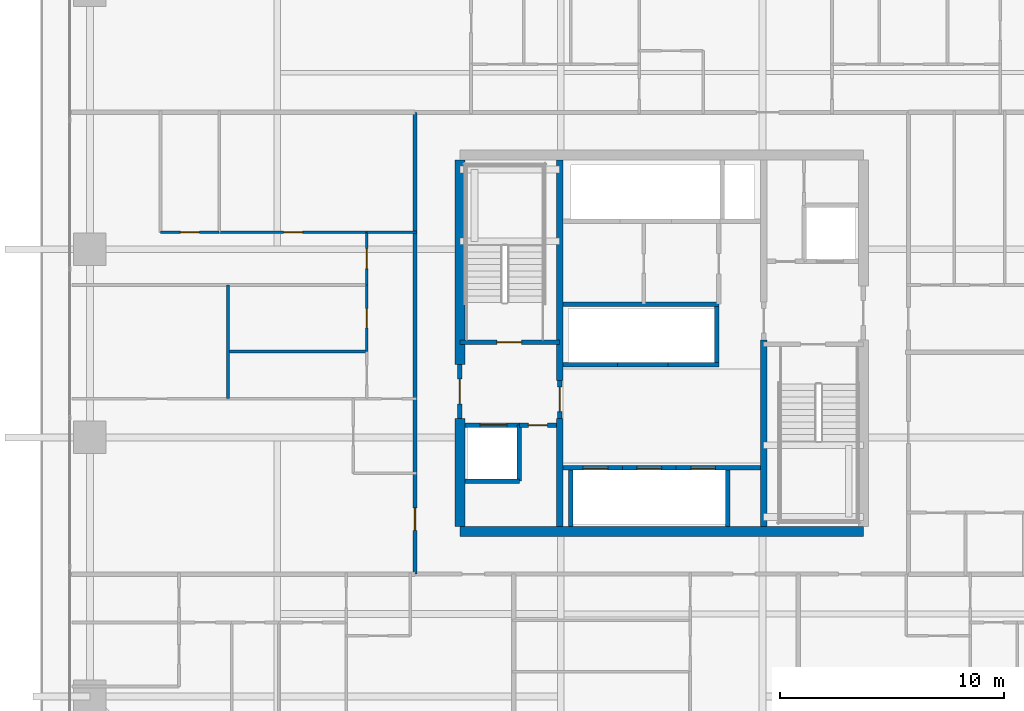
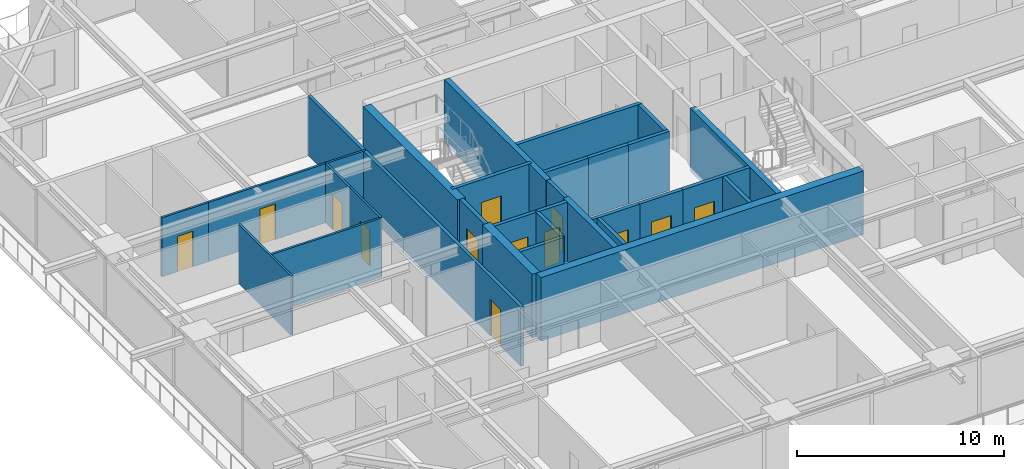
# One storey, part 27 of 38: 31 walls, 13 doors, 13 openings.
"""IFC4 building model written with IfcOpenShell, lengths in metres."""

from ifc_helpers import new_model, si_unit, direction, frame, frame_2d, origin, place, context, subcontext, project, spatial, rectangle, extrude, source, transform, mapped, material, layer, layer_set, type_object, element, fill, save


model = new_model("IFC4")

# Units and contexts
model_context = context("Model", 3, precision=1e-05, world=origin(), true_north=direction((0.0, 1.0)))
body_context = subcontext(model_context, "Body", "Model", "MODEL_VIEW")
ifc_project = project(units=[si_unit("LENGTHUNIT", "METRE"), si_unit("AREAUNIT", "SQUARE_METRE"), si_unit("VOLUMEUNIT", "CUBIC_METRE"), si_unit("PLANEANGLEUNIT", "RADIAN"), si_unit("MASSUNIT", "GRAM", prefix="KILO")], contexts=[model_context])

# Site, building, storey
site_placement = place(None, origin())
site = spatial("IfcSite", under=ifc_project, at=site_placement, CompositionType="ELEMENT")
building_placement = place(site_placement, origin())
building = spatial("IfcBuilding", under=site, at=building_placement, Name="Serunith Strait Residences", CompositionType="ELEMENT")
storey_placement = place(building_placement, frame((0.0, 0.0, 52.949951171875)))
storey = spatial("IfcBuildingStorey", under=building, at=storey_placement, Name="L12", CompositionType="ELEMENT", Elevation=52.949951171875)

# Wall, opening, door
ifc_material_1 = material(Name="Fire-rated acoustic gypsum partition")
ifc_layer_1 = layer(ifc_material_1, 0.179931640625, Name="Fire-rated acoustic gypsum partition")
ifc_layer_set_1 = layer_set([ifc_layer_1], Name="Fire-rated acoustic gypsum partition")
wall_type_1 = type_object("IfcWallType", Name="IW-CORR-180", PredefinedType="PARTITIONING", material=ifc_layer_set_1)
wall_1_placement = place(storey_placement, frame((21.39990234375, 14.89990234375, 0.0), z_axis=(0.0, 0.0, 1.0), x_axis=(0.0, 1.0, 0.0)))
wall_1 = element("IfcWall", 1, at=wall_1_placement, inside=storey, type_object=wall_type_1, Name="L12 Partition Wall 024", PredefinedType="PARTITIONING", context=body_context, shape_type="SweptSolid", body=[
    extrude(rectangle(XDim=20.60009765625, YDim=0.179931640625, at=frame_2d((10.300048828125, 0.0))), origin(), (0.0, 0.0, 1.0), 3.489990234375),
])
opening_1_placement = place(wall_1_placement, frame((1.9599609375, 0.0, 0.0)))
opening_1 = element("IfcOpeningElement", 2, at=opening_1_placement, cuts=wall_1, Name="Opening D-APT1000", PredefinedType="OPENING", context=body_context, shape_type="SweptSolid", body=[
    extrude(rectangle(XDim=1.0, YDim=2.14990234375, at=frame_2d((0.5, 1.074951171875))), frame((0.0, 0.10009765625, 0.0), z_axis=(0.0, -1.0, 0.0), x_axis=(1.0, 0.0, 0.0)), (0.0, 0.0, 1.0), 0.199951171875),
])
ifc_material_2 = material(Name="Solid timber engineered fire door", Category="wood")
door_type_1 = type_object("IfcDoorType", Name="ID-APT-1000", OperationType="NOTDEFINED", PredefinedType="DOOR", material=ifc_material_2)
shared_shape_1 = source(origin(), body_context, "Body", "SweptSolid", [
    extrude(rectangle(XDim=1.0, YDim=2.14990234375, at=frame_2d((0.5, 1.074951171875))), frame((0.0, 0.02490234375, 0.0), z_axis=(0.0, -1.0, 0.0), x_axis=(1.0, 0.0, 0.0)), (0.0, 0.0, 1.0), 0.050048828125),
])
door_1_placement = place(opening_1_placement, origin())
door_1 = element("IfcDoor", 3, at=door_1_placement, inside=storey, type_object=door_type_1, Name="L12 Unit 05 Entrance Door", OperationType="SINGLE_SWING_LEFT", OverallHeight=2.14990234375, OverallWidth=1.0, PredefinedType="DOOR", context=body_context, shape_type="MappedRepresentation", body=[
    mapped(shared_shape_1, transform((0.0, 0.0, 0.0), scale=1.0)),
])
fill(opening_1, door_1)

# Walls
ifc_material_3 = material(Name="Lightweight steel-stud gypsum partition", Category="steel")
ifc_layer_2 = layer(ifc_material_3, 0.1201171875, Name="Lightweight steel-stud gypsum partition")
ifc_layer_set_2 = layer_set([ifc_layer_2], Name="Lightweight steel-stud gypsum partition")
wall_type_2 = type_object("IfcWallType", Name="IW-PART-120", PredefinedType="PARTITIONING", material=ifc_layer_set_2)
wall_2_placement = place(storey_placement, frame((13.05908203125, 22.72998046875, 0.0), z_axis=(0.0, 0.0, 1.0), x_axis=(0.0, 1.0, 0.0)))
element("IfcWall", 4, at=wall_2_placement, inside=storey, type_object=wall_type_2, Name="L12 Partition Wall 100", PredefinedType="PARTITIONING", context=body_context, shape_type="SweptSolid", body=[
    extrude(rectangle(XDim=5.070068359375, YDim=0.1201171875, at=frame_2d((2.53515625, 0.0))), origin(), (0.0, 0.0, 1.0), 3.489990234375),
])
wall_3_placement = place(storey_placement, frame((13.05908203125, 24.830078125, 0.0), z_axis=(0.0, 0.0, 1.0), x_axis=(1.0, 0.0, 0.0)))
element("IfcWall", 5, at=wall_3_placement, inside=storey, type_object=wall_type_2, Name="L12 Partition Wall 102", PredefinedType="PARTITIONING", context=body_context, shape_type="SweptSolid", body=[
    extrude(rectangle(XDim=6.19091796875, YDim=0.1201171875, at=frame_2d((3.095458984375, 0.0))), origin(), (0.0, 0.0, 1.0), 3.489990234375),
])

# Wall, opening, door
wall_4_placement = place(storey_placement, frame((19.25, 24.83203125, 0.0), z_axis=(0.0, 0.0, 1.0), x_axis=(0.0, 1.0, 0.0)))
wall_4 = element("IfcWall", 6, at=wall_4_placement, inside=storey, type_object=wall_type_2, Name="L12 Partition Wall 104", PredefinedType="PARTITIONING", context=body_context, shape_type="SweptSolid", body=[
    extrude(rectangle(XDim=2.968017578125, YDim=0.1201171875, at=frame_2d((1.48388671875, 0.0))), origin(), (0.0, 0.0, 1.0), 3.489990234375),
])
opening_2_placement = place(wall_4_placement, frame((1.05908203125, 0.0, 0.0)))
opening_2 = element("IfcOpeningElement", 7, at=opening_2_placement, cuts=wall_4, Name="Opening D-RM850", PredefinedType="OPENING", context=body_context, shape_type="SweptSolid", body=[
    extrude(rectangle(XDim=0.85009765625, YDim=2.10009765625, at=frame_2d((0.425048828125, 1.050048828125))), frame((0.0, 0.070068359375, 0.0), z_axis=(0.0, -1.0, 0.0), x_axis=(1.0, 0.0, 0.0)), (0.0, 0.0, 1.0), 0.14013671875),
])
ifc_material_4 = material(Name="Engineered timber flush study and kitchen door", Category="wood")
door_type_2 = type_object("IfcDoorType", Name="ID-ROOM-850", OperationType="NOTDEFINED", PredefinedType="DOOR", material=ifc_material_4)
shared_shape_2 = source(origin(), body_context, "Body", "SweptSolid", [
    extrude(rectangle(XDim=0.85009765625, YDim=2.10009765625, at=frame_2d((0.425048828125, 1.050048828125))), frame((0.0, 0.02490234375, 0.0), z_axis=(0.0, -1.0, 0.0), x_axis=(1.0, 0.0, 0.0)), (0.0, 0.0, 1.0), 0.050048828125),
])
door_2_placement = place(opening_2_placement, origin())
door_2 = element("IfcDoor", 8, at=door_2_placement, inside=storey, type_object=door_type_2, Name="L12 Formal Dining Room 1205 Door", OperationType="SINGLE_SWING_LEFT", OverallHeight=2.10009765625, OverallWidth=0.85009765625, PredefinedType="DOOR", context=body_context, shape_type="MappedRepresentation", body=[
    mapped(shared_shape_2, transform((0.0, 0.0, 0.0), scale=1.0)),
])
fill(opening_2, door_2)

wall_5_placement = place(storey_placement, frame((19.25, 27.802001953125, 0.0), z_axis=(0.0, 0.0, 1.0), x_axis=(0.0, 1.0, 0.0)))
wall_5 = element("IfcWall", 9, at=wall_5_placement, inside=storey, type_object=wall_type_2, Name="L12 Partition Wall 105", PredefinedType="PARTITIONING", context=body_context, shape_type="SweptSolid", body=[
    extrude(rectangle(XDim=2.347900390625, YDim=0.1201171875, at=frame_2d((1.173828125, 0.0))), origin(), (0.0, 0.0, 1.0), 3.489990234375),
])
opening_3_placement = place(wall_5_placement, frame((0.72412109375, 0.0, 0.0)))
opening_3 = element("IfcOpeningElement", 10, at=opening_3_placement, cuts=wall_5, Name="Opening D-RM900", PredefinedType="OPENING", context=body_context, shape_type="SweptSolid", body=[
    extrude(rectangle(XDim=0.89990234375, YDim=2.10009765625, at=frame_2d((0.449951171875, 1.050048828125))), frame((0.0, 0.070068359375, 0.0), z_axis=(0.0, -1.0, 0.0), x_axis=(1.0, 0.0, 0.0)), (0.0, 0.0, 1.0), 0.14013671875),
])
ifc_material_5 = material(Name="Engineered timber flush bedroom door", Category="wood")
door_type_3 = type_object("IfcDoorType", Name="ID-ROOM-900", OperationType="NOTDEFINED", PredefinedType="DOOR", material=ifc_material_5)
shared_shape_3 = source(origin(), body_context, "Body", "SweptSolid", [
    extrude(rectangle(XDim=0.89990234375, YDim=2.10009765625, at=frame_2d((0.449951171875, 1.050048828125))), frame((0.0, 0.02490234375, 0.0), z_axis=(0.0, -1.0, 0.0), x_axis=(1.0, 0.0, 0.0)), (0.0, 0.0, 1.0), 0.050048828125),
])
door_3_placement = place(opening_3_placement, origin())
door_3 = element("IfcDoor", 11, at=door_3_placement, inside=storey, type_object=door_type_3, Name="L12 Master Bedroom E 1205 Door", OperationType="SINGLE_SWING_RIGHT", OverallHeight=2.10009765625, OverallWidth=0.89990234375, PredefinedType="DOOR", context=body_context, shape_type="MappedRepresentation", body=[
    mapped(shared_shape_3, transform((0.0, 0.0, 0.0), scale=1.0)),
])
fill(opening_3, door_3)

wall_6_placement = place(storey_placement, frame((10.050048828125, 30.14990234375, 0.0), z_axis=(0.0, 0.0, 1.0), x_axis=(1.0, 0.0, 0.0)))
wall_6 = element("IfcWall", 12, at=wall_6_placement, inside=storey, type_object=wall_type_2, Name="L12 Partition Wall 108", PredefinedType="PARTITIONING", context=body_context, shape_type="SweptSolid", body=[
    extrude(rectangle(XDim=2.616943359375, YDim=0.1201171875, at=frame_2d((1.30859375, 0.0))), origin(), (0.0, 0.0, 1.0), 3.489990234375),
])
opening_4_placement = place(wall_6_placement, frame((0.883056640625, 0.0, 0.0)))
opening_4 = element("IfcOpeningElement", 13, at=opening_4_placement, cuts=wall_6, Name="Opening D-BTH850", PredefinedType="OPENING", context=body_context, shape_type="SweptSolid", body=[
    extrude(rectangle(XDim=0.85009765625, YDim=2.10009765625, at=frame_2d((0.425048828125, 1.050048828125))), frame((0.0, 0.070068359375, 0.0), z_axis=(0.0, -1.0, 0.0), x_axis=(1.0, 0.0, 0.0)), (0.0, 0.0, 1.0), 0.14013671875),
])
ifc_material_6 = material(Name="Moisture-resistant timber bathroom door", Category="wood")
door_type_4 = type_object("IfcDoorType", Name="ID-BATH-850", OperationType="NOTDEFINED", PredefinedType="DOOR", material=ifc_material_6)
door_4_placement = place(opening_4_placement, origin())
door_4 = element("IfcDoor", 14, at=door_4_placement, inside=storey, type_object=door_type_4, Name="L12 En-suite Bathroom E 1205 Door", OperationType="SINGLE_SWING_LEFT", OverallHeight=2.10009765625, OverallWidth=0.85009765625, PredefinedType="DOOR", context=body_context, shape_type="MappedRepresentation", body=[
    mapped(shared_shape_2, transform((0.0, 0.0, 0.0), scale=1.0)),
])
fill(opening_4, door_4)

wall_7_placement = place(storey_placement, frame((12.6689453125, 30.14990234375, 0.0), z_axis=(0.0, 0.0, 1.0), x_axis=(1.0, 0.0, 0.0)))
wall_7 = element("IfcWall", 15, at=wall_7_placement, inside=storey, type_object=wall_type_2, Name="L12 Partition Wall 109", PredefinedType="PARTITIONING", context=body_context, shape_type="SweptSolid", body=[
    extrude(rectangle(XDim=6.5810546875, YDim=0.1201171875, at=frame_2d((3.29052734375, 0.0))), origin(), (0.0, 0.0, 1.0), 3.489990234375),
])
opening_5_placement = place(wall_7_placement, frame((2.864990234375, 0.0, 0.0)))
opening_5 = element("IfcOpeningElement", 16, at=opening_5_placement, cuts=wall_7, Name="Opening D-RM850", PredefinedType="OPENING", context=body_context, shape_type="SweptSolid", body=[
    extrude(rectangle(XDim=0.85009765625, YDim=2.10009765625, at=frame_2d((0.425048828125, 1.050048828125))), frame((0.0, 0.070068359375, 0.0), z_axis=(0.0, -1.0, 0.0), x_axis=(1.0, 0.0, 0.0)), (0.0, 0.0, 1.0), 0.14013671875),
])
door_5_placement = place(opening_5_placement, origin())
door_5 = element("IfcDoor", 17, at=door_5_placement, inside=storey, type_object=door_type_2, Name="L12 Wardrobe E 1205 Door", OperationType="SINGLE_SWING_RIGHT", OverallHeight=2.10009765625, OverallWidth=0.85009765625, PredefinedType="DOOR", context=body_context, shape_type="MappedRepresentation", body=[
    mapped(shared_shape_2, transform((0.0, 0.0, 0.0), scale=1.0)),
])
fill(opening_5, door_5)

# Wall
wall_8_placement = place(storey_placement, frame((19.251953125, 30.14990234375, 0.0), z_axis=(0.0, 0.0, 1.0), x_axis=(1.0, 0.0, 0.0)))
element("IfcWall", 18, at=wall_8_placement, inside=storey, type_object=wall_type_2, Name="L12 Partition Wall 110", PredefinedType="PARTITIONING", context=body_context, shape_type="SweptSolid", body=[
    extrude(rectangle(XDim=2.2080078125, YDim=0.1201171875, at=frame_2d((1.10400390625, 0.0))), origin(), (0.0, 0.0, 1.0), 3.489990234375),
])

# Wall, opening, door
ifc_material_7 = material(Name="Autoclaved aerated concrete blockwork", Category="masonry")
ifc_layer_3 = layer(ifc_material_7, 0.199951171875, Name="Autoclaved aerated concrete blockwork")
ifc_layer_set_3 = layer_set([ifc_layer_3], Name="Autoclaved aerated concrete blockwork")
wall_type_3 = type_object("IfcWallType", Name="IW-SHAFT-200", PredefinedType="STANDARD", material=ifc_layer_set_3)
wall_9_placement = place(storey_placement, frame((23.39990234375, 25.25, 0.0), z_axis=(0.0, 0.0, 1.0), x_axis=(1.0, 0.0, 0.0)))
wall_9 = element("IfcWall", 19, at=wall_9_placement, inside=storey, type_object=wall_type_3, Name="L12 ST-1 South Shaft Wall", PredefinedType="STANDARD", context=body_context, shape_type="SweptSolid", body=[
    extrude(rectangle(XDim=4.4501953125, YDim=0.199951171875, at=frame_2d((2.22509765625, 0.0))), origin(), (0.0, 0.0, 1.0), 3.489990234375),
])
opening_6_placement = place(wall_9_placement, frame((1.64990234375, 0.0, 0.0)))
opening_6 = element("IfcOpeningElement", 20, at=opening_6_placement, cuts=wall_9, Name="Opening FD-1100", PredefinedType="OPENING", context=body_context, shape_type="SweptSolid", body=[
    extrude(rectangle(XDim=1.10009765625, YDim=2.14990234375, at=frame_2d((0.550048828125, 1.074951171875))), frame((0.0, 0.10986328125, 0.0), z_axis=(0.0, -1.0, 0.0), x_axis=(1.0, 0.0, 0.0)), (0.0, 0.0, 1.0), 0.219970703125),
])
ifc_material_8 = material(Name="Galvanised steel fire door leaf", Category="steel")
door_type_5 = type_object("IfcDoorType", Name="FD-STAIR-1100", OperationType="NOTDEFINED", PredefinedType="DOOR", material=ifc_material_8)
shared_shape_4 = source(origin(), body_context, "Body", "SweptSolid", [
    extrude(rectangle(XDim=1.10009765625, YDim=2.14990234375, at=frame_2d((0.550048828125, 1.074951171875))), frame((0.0, 0.02490234375, 0.0), z_axis=(0.0, -1.0, 0.0), x_axis=(1.0, 0.0, 0.0)), (0.0, 0.0, 1.0), 0.050048828125),
])
door_6_placement = place(opening_6_placement, origin())
door_6 = element("IfcDoor", 21, at=door_6_placement, inside=storey, type_object=door_type_5, Name="L12 ST-1 Escape Stair Door", OperationType="SINGLE_SWING_RIGHT", OverallHeight=2.14990234375, OverallWidth=1.10009765625, PredefinedType="DOOR", context=body_context, shape_type="MappedRepresentation", body=[
    mapped(shared_shape_4, transform((0.0, 0.0, 0.0), scale=1.0)),
])
fill(opening_6, door_6)

wall_10_placement = place(storey_placement, frame((23.625, 21.550048828125, 0.0), z_axis=(0.0, 0.0, 1.0), x_axis=(1.0, 0.0, 0.0)))
wall_10 = element("IfcWall", 22, at=wall_10_placement, inside=storey, type_object=wall_type_3, Name="L12 FL-1 North Shaft Wall", PredefinedType="STANDARD", context=body_context, shape_type="SweptSolid", body=[
    extrude(rectangle(XDim=2.425048828125, YDim=0.199951171875, at=frame_2d((1.21240234375, 0.0))), origin(), (0.0, 0.0, 1.0), 3.489990234375),
])
opening_7_placement = place(wall_10_placement, frame((0.675048828125, 0.0, 0.0)))
opening_7 = element("IfcOpeningElement", 23, at=opening_7_placement, cuts=wall_10, Name="Opening LD-FF1200", PredefinedType="OPENING", context=body_context, shape_type="SweptSolid", body=[
    extrude(rectangle(XDim=1.199951171875, YDim=2.199951171875, at=frame_2d((0.60009765625, 1.10009765625))), frame((0.0, 0.10986328125, 0.0), z_axis=(0.0, -1.0, 0.0), x_axis=(1.0, 0.0, 0.0)), (0.0, 0.0, 1.0), 0.219970703125),
])
ifc_material_9 = material(Name="Brushed stainless steel landing door", Category="steel")
door_type_6 = type_object("IfcDoorType", Name="LD-FF-1200", OperationType="DOUBLE_DOOR_SLIDING", PredefinedType="DOOR", material=ifc_material_9)
shared_shape_5 = source(origin(), body_context, "Body", "SweptSolid", [
    extrude(rectangle(XDim=1.199951171875, YDim=2.199951171875, at=frame_2d((0.60009765625, 1.10009765625))), frame((0.0, 0.02490234375, 0.0), z_axis=(0.0, -1.0, 0.0), x_axis=(1.0, 0.0, 0.0)), (0.0, 0.0, 1.0), 0.050048828125),
])
door_7_placement = place(opening_7_placement, origin())
door_7 = element("IfcDoor", 24, at=door_7_placement, inside=storey, type_object=door_type_6, Name="L12 FL-1 Landing Door", OperationType="DOUBLE_DOOR_SLIDING", OverallHeight=2.199951171875, OverallWidth=1.199951171875, PredefinedType="DOOR", context=body_context, shape_type="MappedRepresentation", body=[
    mapped(shared_shape_5, transform((0.0, 0.0, 0.0), scale=1.0)),
])
fill(opening_7, door_7)

wall_11_placement = place(storey_placement, frame((28.0, 19.64990234375, 0.0), z_axis=(0.0, 0.0, 1.0), x_axis=(1.0, 0.0, 0.0)))
wall_11 = element("IfcWall", 25, at=wall_11_placement, inside=storey, type_object=wall_type_3, Name="L12 PL-1 North Shaft Wall", PredefinedType="STANDARD", context=body_context, shape_type="SweptSolid", body=[
    extrude(rectangle(XDim=2.64990234375, YDim=0.199951171875, at=frame_2d((1.324951171875, 0.0))), origin(), (0.0, 0.0, 1.0), 3.489990234375),
])
opening_8_placement = place(wall_11_placement, frame((0.89990234375, 0.0, 0.0)))
opening_8 = element("IfcOpeningElement", 26, at=opening_8_placement, cuts=wall_11, Name="Opening LD-1100", PredefinedType="OPENING", context=body_context, shape_type="SweptSolid", body=[
    extrude(rectangle(XDim=1.10009765625, YDim=2.199951171875, at=frame_2d((0.550048828125, 1.10009765625))), frame((0.0, 0.10986328125, 0.0), z_axis=(0.0, -1.0, 0.0), x_axis=(1.0, 0.0, 0.0)), (0.0, 0.0, 1.0), 0.219970703125),
])
ifc_material_10 = material(Name="Pale-champagne stainless landing door")
door_type_7 = type_object("IfcDoorType", Name="LD-LIFT-1100", OperationType="DOUBLE_DOOR_SLIDING", PredefinedType="DOOR", material=ifc_material_10)
shared_shape_6 = source(origin(), body_context, "Body", "SweptSolid", [
    extrude(rectangle(XDim=1.10009765625, YDim=2.199951171875, at=frame_2d((0.550048828125, 1.10009765625))), frame((0.0, 0.02490234375, 0.0), z_axis=(0.0, -1.0, 0.0), x_axis=(1.0, 0.0, 0.0)), (0.0, 0.0, 1.0), 0.050048828125),
])
door_8_placement = place(opening_8_placement, origin())
door_8 = element("IfcDoor", 27, at=door_8_placement, inside=storey, type_object=door_type_7, Name="L12 PL-1 Landing Door", OperationType="DOUBLE_DOOR_SLIDING", OverallHeight=2.199951171875, OverallWidth=1.10009765625, PredefinedType="DOOR", context=body_context, shape_type="MappedRepresentation", body=[
    mapped(shared_shape_6, transform((0.0, 0.0, 0.0), scale=1.0)),
])
fill(opening_8, door_8)

# Wall
wall_12_placement = place(storey_placement, frame((28.35009765625, 17.02490234375, 0.0), z_axis=(0.0, 0.0, 1.0), x_axis=(0.0, 1.0, 0.0)))
element("IfcWall", 28, at=wall_12_placement, inside=storey, type_object=wall_type_3, Name="L12 PL-1 West Shaft Wall", PredefinedType="STANDARD", context=body_context, shape_type="SweptSolid", body=[
    extrude(rectangle(XDim=2.525146484375, YDim=0.199951171875, at=frame_2d((1.2626953125, 0.0))), origin(), (0.0, 0.0, 1.0), 3.489990234375),
])

# Wall, opening, door
wall_13_placement = place(storey_placement, frame((30.64990234375, 19.64990234375, 0.0), z_axis=(0.0, 0.0, 1.0), x_axis=(1.0, 0.0, 0.0)))
wall_13 = element("IfcWall", 29, at=wall_13_placement, inside=storey, type_object=wall_type_3, Name="L12 PL-2 North Shaft Wall", PredefinedType="STANDARD", context=body_context, shape_type="SweptSolid", body=[
    extrude(rectangle(XDim=2.400146484375, YDim=0.199951171875, at=frame_2d((1.2001953125, 0.0))), origin(), (0.0, 0.0, 1.0), 3.489990234375),
])
opening_9_placement = place(wall_13_placement, frame((0.64990234375, 0.0, 0.0)))
opening_9 = element("IfcOpeningElement", 30, at=opening_9_placement, cuts=wall_13, Name="Opening LD-1100", PredefinedType="OPENING", context=body_context, shape_type="SweptSolid", body=[
    extrude(rectangle(XDim=1.10009765625, YDim=2.199951171875, at=frame_2d((0.550048828125, 1.10009765625))), frame((0.0, 0.10986328125, 0.0), z_axis=(0.0, -1.0, 0.0), x_axis=(1.0, 0.0, 0.0)), (0.0, 0.0, 1.0), 0.219970703125),
])
door_9_placement = place(opening_9_placement, origin())
door_9 = element("IfcDoor", 31, at=door_9_placement, inside=storey, type_object=door_type_7, Name="L12 PL-2 Landing Door", OperationType="DOUBLE_DOOR_SLIDING", OverallHeight=2.199951171875, OverallWidth=1.10009765625, PredefinedType="DOOR", context=body_context, shape_type="MappedRepresentation", body=[
    mapped(shared_shape_6, transform((0.0, 0.0, 0.0), scale=1.0)),
])
fill(opening_9, door_9)

wall_14_placement = place(storey_placement, frame((33.050048828125, 19.64990234375, 0.0), z_axis=(0.0, 0.0, 1.0), x_axis=(1.0, 0.0, 0.0)))
wall_14 = element("IfcWall", 32, at=wall_14_placement, inside=storey, type_object=wall_type_3, Name="L12 PL-3 North Shaft Wall", PredefinedType="STANDARD", context=body_context, shape_type="SweptSolid", body=[
    extrude(rectangle(XDim=3.75, YDim=0.199951171875, at=frame_2d((1.875, 0.0))), origin(), (0.0, 0.0, 1.0), 3.489990234375),
])
opening_10_placement = place(wall_14_placement, frame((0.64990234375, 0.0, 0.0)))
opening_10 = element("IfcOpeningElement", 33, at=opening_10_placement, cuts=wall_14, Name="Opening LD-1100", PredefinedType="OPENING", context=body_context, shape_type="SweptSolid", body=[
    extrude(rectangle(XDim=1.10009765625, YDim=2.199951171875, at=frame_2d((0.550048828125, 1.10009765625))), frame((0.0, 0.10986328125, 0.0), z_axis=(0.0, -1.0, 0.0), x_axis=(1.0, 0.0, 0.0)), (0.0, 0.0, 1.0), 0.219970703125),
])
door_10_placement = place(opening_10_placement, origin())
door_10 = element("IfcDoor", 34, at=door_10_placement, inside=storey, type_object=door_type_7, Name="L12 PL-3 Landing Door", OperationType="DOUBLE_DOOR_SLIDING", OverallHeight=2.199951171875, OverallWidth=1.10009765625, PredefinedType="DOOR", context=body_context, shape_type="MappedRepresentation", body=[
    mapped(shared_shape_6, transform((0.0, 0.0, 0.0), scale=1.0)),
])
fill(opening_10, door_10)

# Walls
wall_15_placement = place(storey_placement, frame((35.35009765625, 17.02490234375, 0.0), z_axis=(0.0, 0.0, 1.0), x_axis=(0.0, 1.0, 0.0)))
element("IfcWall", 35, at=wall_15_placement, inside=storey, type_object=wall_type_3, Name="L12 PL-3 East Shaft Wall", PredefinedType="STANDARD", context=body_context, shape_type="SweptSolid", body=[
    extrude(rectangle(XDim=2.525146484375, YDim=0.199951171875, at=frame_2d((1.2626953125, 0.0))), origin(), (0.0, 0.0, 1.0), 3.489990234375),
])
wall_16_placement = place(storey_placement, frame((28.0, 24.25, 0.0), z_axis=(0.0, 0.0, 1.0), x_axis=(1.0, 0.0, 0.0)))
element("IfcWall", 36, at=wall_16_placement, inside=storey, type_object=wall_type_3, Name="L12 PL-4 South Shaft Wall", PredefinedType="STANDARD", context=body_context, shape_type="SweptSolid", body=[
    extrude(rectangle(XDim=2.425048828125, YDim=0.199951171875, at=frame_2d((1.21240234375, 0.0))), origin(), (0.0, 0.0, 1.0), 3.489990234375),
])
wall_17_placement = place(storey_placement, frame((30.425048828125, 24.25, 0.0), z_axis=(0.0, 0.0, 1.0), x_axis=(1.0, 0.0, 0.0)))
element("IfcWall", 37, at=wall_17_placement, inside=storey, type_object=wall_type_3, Name="L12 PL-5 South Shaft Wall", PredefinedType="STANDARD", context=body_context, shape_type="SweptSolid", body=[
    extrude(rectangle(XDim=2.25, YDim=0.199951171875, at=frame_2d((1.125, 0.0))), origin(), (0.0, 0.0, 1.0), 3.489990234375),
])
wall_18_placement = place(storey_placement, frame((32.675048828125, 24.25, 0.0), z_axis=(0.0, 0.0, 1.0), x_axis=(1.0, 0.0, 0.0)))
element("IfcWall", 38, at=wall_18_placement, inside=storey, type_object=wall_type_3, Name="L12 PL-6 South Shaft Wall", PredefinedType="STANDARD", context=body_context, shape_type="SweptSolid", body=[
    extrude(rectangle(XDim=2.27490234375, YDim=0.199951171875, at=frame_2d((1.137451171875, 0.0))), origin(), (0.0, 0.0, 1.0), 3.489990234375),
])
for number, where, z_axis, x_axis, name in (
    (39, (34.85009765625, 24.35009765625, 0.0), (0.0, 0.0, 1.0), (0.0, 1.0, 0.0), "L12 PL-6 East Shaft Wall"),
    (40, (26.050048828125, 19.050048828125, 0.0), (0.0, 0.0, 1.0), (0.0, 1.0, 0.0), "L12 Partition Wall 001"),
):
    element("IfcWall", number, at=place(storey_placement, frame(where, z_axis=z_axis, x_axis=x_axis)), inside=storey, type_object=wall_type_3, Name=name, PredefinedType="STANDARD", context=body_context, shape_type="SweptSolid", body=[
        extrude(rectangle(XDim=2.5, YDim=0.199951171875, at=frame_2d((1.25, 0.0))), origin(), (0.0, 0.0, 1.0), 3.489990234375),
    ])
wall_19_placement = place(storey_placement, frame((23.625, 19.050048828125, 0.0), z_axis=(0.0, 0.0, 1.0), x_axis=(1.0, 0.0, 0.0)))
element("IfcWall", 41, at=wall_19_placement, inside=storey, type_object=wall_type_3, Name="L12 Partition Wall 002", PredefinedType="STANDARD", context=body_context, shape_type="SweptSolid", body=[
    extrude(rectangle(XDim=2.425048828125, YDim=0.199951171875, at=frame_2d((1.21240234375, 0.0))), origin(), (0.0, 0.0, 1.0), 3.489990234375),
])

# Wall, opening, door
wall_20_placement = place(storey_placement, frame((26.052001953125, 21.550048828125, 0.0), z_axis=(0.0, 0.0, 1.0), x_axis=(1.0, 0.0, 0.0)))
wall_20 = element("IfcWall", 42, at=wall_20_placement, inside=storey, type_object=wall_type_3, Name="L12 Partition Wall 003", PredefinedType="STANDARD", context=body_context, shape_type="SweptSolid", body=[
    extrude(rectangle(XDim=1.64794921875, YDim=0.199951171875, at=frame_2d((0.823974609375, 0.0))), origin(), (0.0, 0.0, 1.0), 3.489990234375),
])
opening_11_placement = place(wall_20_placement, frame((0.39892578125, 0.0, 0.0)))
opening_11 = element("IfcOpeningElement", 43, at=opening_11_placement, cuts=wall_20, Name="Opening FD-850", PredefinedType="OPENING", context=body_context, shape_type="SweptSolid", body=[
    extrude(rectangle(XDim=0.85009765625, YDim=2.10009765625, at=frame_2d((0.425048828125, 1.050048828125))), frame((0.0, 0.10986328125, 0.0), z_axis=(0.0, -1.0, 0.0), x_axis=(1.0, 0.0, 0.0)), (0.0, 0.0, 1.0), 0.219970703125),
])
ifc_material_11 = material(Name="Powder-coated steel service closet door", Category="steel")
door_type_8 = type_object("IfcDoorType", Name="FD-BOH-850", OperationType="NOTDEFINED", PredefinedType="DOOR", material=ifc_material_11)
door_11_placement = place(opening_11_placement, origin())
door_11 = element("IfcDoor", 44, at=door_11_placement, inside=storey, type_object=door_type_8, Name="L12 South-West Core Service Door", OperationType="SINGLE_SWING_RIGHT", OverallHeight=2.10009765625, OverallWidth=0.85009765625, PredefinedType="DOOR", context=body_context, shape_type="MappedRepresentation", body=[
    mapped(shared_shape_2, transform((0.0, 0.0, 0.0), scale=1.0)),
])
fill(opening_11, door_11)

wall_21_placement = place(storey_placement, frame((23.39990234375, 21.85205078125, 0.0), z_axis=(0.0, 0.0, 1.0), x_axis=(0.0, 1.0, 0.0)))
wall_21 = element("IfcWall", 45, at=wall_21_placement, inside=storey, type_object=wall_type_3, Name="L12 Partition Wall 007", PredefinedType="STANDARD", context=body_context, shape_type="SweptSolid", body=[
    extrude(rectangle(XDim=2.39599609375, YDim=0.199951171875, at=frame_2d((1.197998046875, 0.0))), origin(), (0.0, 0.0, 1.0), 3.489990234375),
])
opening_12_placement = place(wall_21_placement, frame((0.64794921875, 0.0, 0.0)))
opening_12 = element("IfcOpeningElement", 46, at=opening_12_placement, cuts=wall_21, Name="Opening FD-FFL", PredefinedType="OPENING", context=body_context, shape_type="SweptSolid", body=[
    extrude(rectangle(XDim=1.10009765625, YDim=2.14990234375, at=frame_2d((0.550048828125, 1.074951171875))), frame((0.0, 0.10986328125, 0.0), z_axis=(0.0, -1.0, 0.0), x_axis=(1.0, 0.0, 0.0)), (0.0, 0.0, 1.0), 0.219970703125),
])
ifc_material_12 = material(Name="Glazed steel smoke-lobby fire door", Category="steel")
door_type_9 = type_object("IfcDoorType", Name="FD-FFL-1100", OperationType="NOTDEFINED", PredefinedType="DOOR", material=ifc_material_12)
door_12_placement = place(opening_12_placement, origin())
door_12 = element("IfcDoor", 47, at=door_12_placement, inside=storey, type_object=door_type_9, Name="L12 FFL-1 Corridor Fire Door", OperationType="SINGLE_SWING_RIGHT", OverallHeight=2.14990234375, OverallWidth=1.10009765625, PredefinedType="DOOR", context=body_context, shape_type="MappedRepresentation", body=[
    mapped(shared_shape_4, transform((0.0, 0.0, 0.0), scale=1.0)),
])
fill(opening_12, door_12)

wall_22_placement = place(storey_placement, frame((27.85009765625, 21.85205078125, 0.0), z_axis=(0.0, 0.0, 1.0), x_axis=(0.0, 1.0, 0.0)))
wall_22 = element("IfcWall", 48, at=wall_22_placement, inside=storey, type_object=wall_type_3, Name="L12 Partition Wall 009", PredefinedType="STANDARD", context=body_context, shape_type="SweptSolid", body=[
    extrude(rectangle(XDim=1.696044921875, YDim=0.199951171875, at=frame_2d((0.84814453125, 0.0))), origin(), (0.0, 0.0, 1.0), 3.489990234375),
])
opening_13_placement = place(wall_22_placement, frame((0.298095703125, 0.0, 0.0)))
opening_13 = element("IfcOpeningElement", 49, at=opening_13_placement, cuts=wall_22, Name="Opening FD-FFL", PredefinedType="OPENING", context=body_context, shape_type="SweptSolid", body=[
    extrude(rectangle(XDim=1.10009765625, YDim=2.14990234375, at=frame_2d((0.550048828125, 1.074951171875))), frame((0.0, 0.10986328125, 0.0), z_axis=(0.0, -1.0, 0.0), x_axis=(1.0, 0.0, 0.0)), (0.0, 0.0, 1.0), 0.219970703125),
])
door_13_placement = place(opening_13_placement, origin())
door_13 = element("IfcDoor", 50, at=door_13_placement, inside=storey, type_object=door_type_9, Name="L12 FFL-1 Lift Lobby Door", OperationType="SINGLE_SWING_RIGHT", OverallHeight=2.14990234375, OverallWidth=1.10009765625, PredefinedType="DOOR", context=body_context, shape_type="MappedRepresentation", body=[
    mapped(shared_shape_4, transform((0.0, 0.0, 0.0), scale=1.0)),
])
fill(opening_13, door_13)

# Walls
wall_23_placement = place(storey_placement, frame((28.0, 26.949951171875, 0.0), z_axis=(0.0, 0.0, 1.0), x_axis=(1.0, 0.0, 0.0)))
element("IfcWall", 51, at=wall_23_placement, inside=storey, type_object=wall_type_3, Name="L12 Partition Wall 011", PredefinedType="STANDARD", context=body_context, shape_type="SweptSolid", body=[
    extrude(rectangle(XDim=6.949951171875, YDim=0.199951171875, at=frame_2d((3.47509765625, 0.0))), origin(), (0.0, 0.0, 1.0), 3.489990234375),
])
ifc_material_13 = material(Name="Concrete C80/95", Category="concrete")
ifc_layer_4 = layer(ifc_material_13, 0.300048828125, Name="Concrete C80/95")
ifc_layer_set_4 = layer_set([ifc_layer_4], Name="Concrete C80/95")
wall_type_4 = type_object("IfcWallType", Name="SW-300-C80", PredefinedType="SHEAR", material=ifc_layer_set_4)
wall_24_placement = place(storey_placement, frame((27.85009765625, 17.02490234375, -0.260009765625), z_axis=(0.0, 0.0, 1.0), x_axis=(0.0, 1.0, 0.0)))
element("IfcWall", 52, at=wall_24_placement, inside=storey, type_object=wall_type_4, Name="L12 Core Internal West Web South Pier", PredefinedType="SHEAR", context=body_context, shape_type="SweptSolid", body=[
    extrude(rectangle(XDim=4.8251953125, YDim=0.300048828125, at=frame_2d((2.41259765625, 0.0))), origin(), (0.0, 0.0, 1.0), 3.748046875),
])
wall_25_placement = place(storey_placement, frame((27.85009765625, 23.550048828125, -0.260009765625), z_axis=(0.0, 0.0, 1.0), x_axis=(0.0, 1.0, 0.0)))
element("IfcWall", 53, at=wall_25_placement, inside=storey, type_object=wall_type_4, Name="L12 Core Internal West Web North Pier", PredefinedType="SHEAR", context=body_context, shape_type="SweptSolid", body=[
    extrude(rectangle(XDim=9.824951171875, YDim=0.300048828125, at=frame_2d((4.91259765625, 0.0))), origin(), (0.0, 0.0, 1.0), 3.748046875),
])
wall_26_placement = place(storey_placement, frame((36.949951171875, 17.02490234375, -0.260009765625), z_axis=(0.0, 0.0, 1.0), x_axis=(0.0, 1.0, 0.0)))
element("IfcWall", 54, at=wall_26_placement, inside=storey, type_object=wall_type_4, Name="L12 Core Internal East Web South Pier", PredefinedType="SHEAR", context=body_context, shape_type="SweptSolid", body=[
    extrude(rectangle(XDim=8.3251953125, YDim=0.300048828125, at=frame_2d((4.16259765625, 0.0))), origin(), (0.0, 0.0, 1.0), 3.748046875),
])
ifc_layer_5 = layer(ifc_material_13, 0.449951171875, Name="Concrete C80/95")
ifc_layer_set_5 = layer_set([ifc_layer_5], Name="Concrete C80/95")
wall_type_5 = type_object("IfcWallType", Name="SW-450-C80", PredefinedType="SHEAR", material=ifc_layer_set_5)
wall_27_placement = place(storey_placement, frame((23.39990234375, 16.800048828125, -0.260009765625), z_axis=(0.0, 0.0, 1.0), x_axis=(1.0, 0.0, 0.0)))
element("IfcWall", 55, at=wall_27_placement, inside=storey, type_object=wall_type_5, Name="L12 Core South Shear Wall", PredefinedType="SHEAR", context=body_context, shape_type="SweptSolid", body=[
    extrude(rectangle(XDim=18.0, YDim=0.449951171875, at=frame_2d((9.0, 0.0))), origin(), (0.0, 0.0, 1.0), 3.748046875),
])
wall_28_placement = place(storey_placement, frame((23.39990234375, 17.02490234375, -0.260009765625), z_axis=(0.0, 0.0, 1.0), x_axis=(0.0, 1.0, 0.0)))
element("IfcWall", 56, at=wall_28_placement, inside=storey, type_object=wall_type_5, Name="L12 Core West Shear Wall South Pier", PredefinedType="SHEAR", context=body_context, shape_type="SweptSolid", body=[
    extrude(rectangle(XDim=4.8251953125, YDim=0.449951171875, at=frame_2d((2.41259765625, 0.0))), origin(), (0.0, 0.0, 1.0), 3.748046875),
])
wall_29_placement = place(storey_placement, frame((23.39990234375, 24.25, -0.260009765625), z_axis=(0.0, 0.0, 1.0), x_axis=(0.0, 1.0, 0.0)))
element("IfcWall", 57, at=wall_29_placement, inside=storey, type_object=wall_type_5, Name="L12 Core West Shear Wall North Pier", PredefinedType="SHEAR", context=body_context, shape_type="SweptSolid", body=[
    extrude(rectangle(XDim=9.125, YDim=0.449951171875, at=frame_2d((4.5625, 0.0))), origin(), (0.0, 0.0, 1.0), 3.748046875),
])

save(model, "model.ifc")
